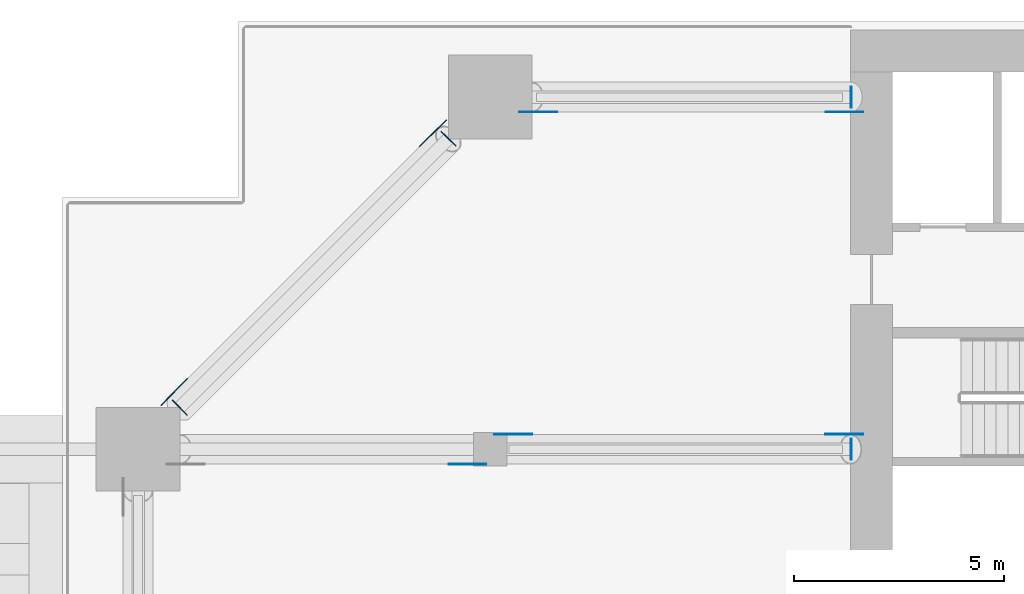
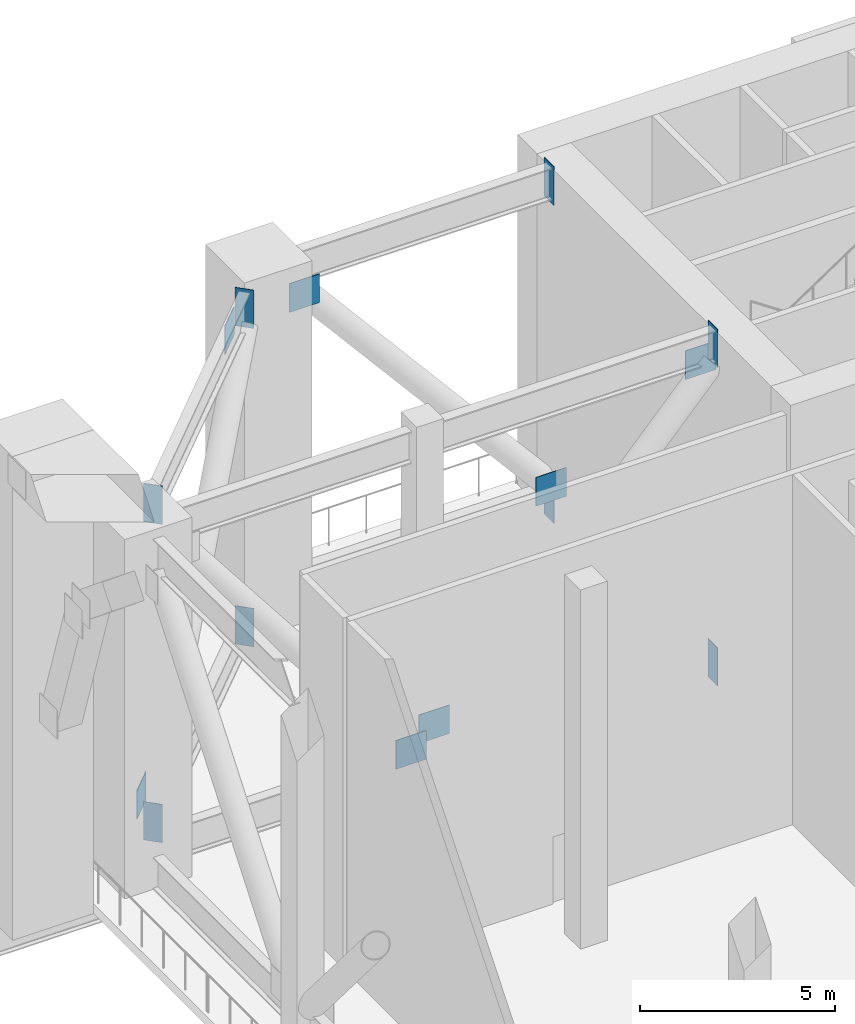
# One storey, part 12 of 19: 15 discrete accessories.
"""IFC4 building model written with IfcOpenShell, lengths in metres."""

from ifc_helpers import new_model, si_unit, direction, frame, origin, origin_2d, place, context, subcontext, project, spatial, rectangle, extrude, element, save


model = new_model("IFC4")

# Units and contexts
model_context = context("Model", 3, precision=1e-05, world=origin(), true_north=direction((0.0, 1.0)))
body_context = subcontext(model_context, "Body", "Model", "MODEL_VIEW")
ifc_project = project(units=[si_unit("LENGTHUNIT", "METRE"), si_unit("AREAUNIT", "SQUARE_METRE"), si_unit("VOLUMEUNIT", "CUBIC_METRE"), si_unit("PLANEANGLEUNIT", "RADIAN"), si_unit("MASSUNIT", "GRAM", prefix="KILO")], contexts=[model_context])

# Site, building, storey
site_placement = place(None, origin())
site = spatial("IfcSite", under=ifc_project, at=site_placement, CompositionType="ELEMENT")
building_placement = place(site_placement, origin())
building = spatial("IfcBuilding", under=site, at=building_placement, Name="Saffron Gate Tower", CompositionType="ELEMENT")
storey_placement = place(building_placement, frame((0.0, 0.0, 84.0)))
storey = spatial("IfcBuildingStorey", under=building, at=storey_placement, Name="L20", CompositionType="ELEMENT", Elevation=84.0)

# Discrete accessories
for number, where, z_axis, x_axis, name in (
    (1, (50.66162109375, 66.764404296875, 0.70849609375), (0.0, 0.0, 1.0), (0.707106781187, 0.707106781187, 0.0), "GUSSET PLATE"),
    (2, (56.835693359375, 72.9384765625, 9.361572265625), (0.0, 0.0, 1.0), (0.707106781187, 0.707106781187, 0.0), "GUSSET PLATE"),
    (3, (57.66162109375, 65.04443359375, 0.7275390625), (0.0, 0.0, 1.0), (-1.0, 0.0, 0.0), "GUSSET PLATE"),
    (4, (58.751708984375, 65.755615234375, 0.716064453125), (0.0, 0.0, 1.0), (1.0, 0.0, 0.0), "GUSSET PLATE"),
    (5, (66.648193359375, 65.755615234375, 9.35400390625), (0.0, 0.0, 1.0), (1.0, 0.0, 0.0), "GUSSET PLATE"),
    (6, (66.654541015625, 73.444580078125, 0.7216796875), (0.0, 0.0, 1.0), (-1.0, 0.0, 0.0), "GUSSET PLATE"),
    (7, (59.345458984375, 73.444580078125, 9.348388671875), (0.0, 0.0, 1.0), (-1.0, 0.0, 0.0), "GUSSET PLATE"),
):
    element("IfcDiscreteAccessory", number, at=place(storey_placement, frame(where, z_axis=z_axis, x_axis=x_axis)), inside=storey, Name=name, ObjectType="GUSSET PLATE", PredefinedType="USERDEFINED", context=body_context, shape_type="SweptSolid", body=[
        extrude(rectangle(XDim=0.89990234375, YDim=0.02001953125, at=origin_2d()), origin(), (0.0, 0.0, 1.0), 0.89990234375),
    ])
for number, where, z_axis, x_axis, name in (
    (8, (57.20703125, 72.80712890625, 9.8701171875), (0.0, 0.0, 1.0), (0.707106781187, 0.707106781187, 0.0), "BELT TRUSS END PLATE"),
    (9, (50.79296875, 66.392822265625, 9.8701171875), (0.0, 0.0, 1.0), (-0.707106781187, -0.707106781187, 0.0), "BELT TRUSS END PLATE"),
    (10, (57.20703125, 72.80712890625, -0.10009765625), (0.0, 0.0, 1.0), (0.707106781187, 0.707106781187, 0.0), "BELT TRUSS END PLATE"),
    (11, (50.79296875, 66.392822265625, -0.10009765625), (0.0, 0.0, 1.0), (-0.707106781187, -0.707106781187, 0.0), "BELT TRUSS END PLATE"),
):
    element("IfcDiscreteAccessory", number, at=place(storey_placement, frame(where, z_axis=z_axis, x_axis=x_axis)), inside=storey, Name=name, ObjectType="BELT TRUSS END PLATE", PredefinedType="USERDEFINED", context=body_context, shape_type="SweptSolid", body=[
        extrude(rectangle(XDim=0.02001953125, YDim=0.5, at=origin_2d()), origin(), (0.0, 0.0, 1.0), 1.199951171875),
    ])
for number, where, z_axis, x_axis, name in (
    (12, (66.81005859375, 65.39990234375, 9.8701171875), (0.0, 0.0, 1.0), (1.0, 0.0, 0.0), "OUTRIGGER CAST-IN PLATE"),
    (13, (66.81005859375, 65.39990234375, -0.10009765625), (0.0, 0.0, 1.0), (1.0, 0.0, 0.0), "OUTRIGGER CAST-IN PLATE"),
    (14, (66.81005859375, 73.800048828125, 9.8701171875), (0.0, 0.0, 1.0), (1.0, 0.0, 0.0), "OUTRIGGER CAST-IN PLATE"),
    (15, (66.81005859375, 73.800048828125, -0.10009765625), (0.0, 0.0, 1.0), (1.0, 0.0, 0.0), "OUTRIGGER CAST-IN PLATE"),
):
    element("IfcDiscreteAccessory", number, at=place(storey_placement, frame(where, z_axis=z_axis, x_axis=x_axis)), inside=storey, Name=name, ObjectType="OUTRIGGER CAST-IN PLATE", PredefinedType="USERDEFINED", context=body_context, shape_type="SweptSolid", body=[
        extrude(rectangle(XDim=0.02001953125, YDim=0.5, at=origin_2d()), origin(), (0.0, 0.0, 1.0), 1.199951171875),
    ])

save(model, "model.ifc")
